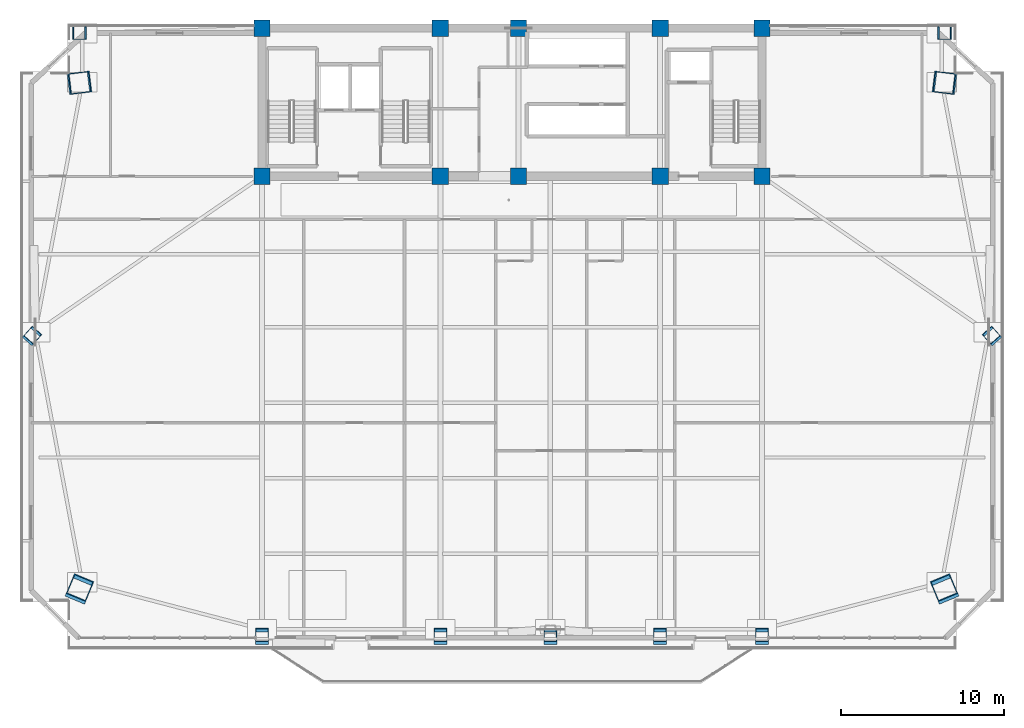
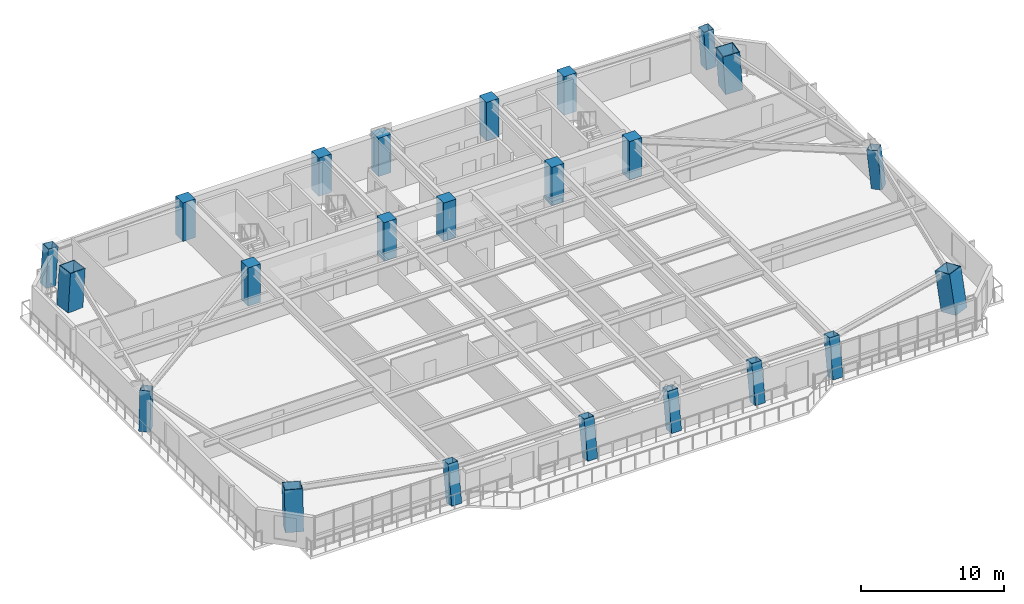
# One storey, part 1 of 16: 23 columns.
"""IFC4 building model written with IfcOpenShell, lengths in metres."""

from ifc_helpers import new_model, si_unit, direction, frame, origin, origin_2d, place, context, subcontext, project, spatial, rectangle, hollow_rectangle, extrude, source, transform, mapped, material, material_profile, profile_set, type_object, element, save


model = new_model("IFC4")

# Units and contexts
model_context = context("Model", 3, precision=1e-05, world=origin(), true_north=direction((0.0, 1.0)))
body_context = subcontext(model_context, "Body", "Model", "MODEL_VIEW")
ifc_project = project(units=[si_unit("LENGTHUNIT", "METRE"), si_unit("AREAUNIT", "SQUARE_METRE"), si_unit("VOLUMEUNIT", "CUBIC_METRE"), si_unit("PLANEANGLEUNIT", "RADIAN"), si_unit("MASSUNIT", "GRAM", prefix="KILO")], contexts=[model_context])

# Site, building, storey
site_placement = place(None, origin())
site = spatial("IfcSite", under=ifc_project, at=site_placement, CompositionType="ELEMENT")
building_placement = place(site_placement, origin())
building = spatial("IfcBuilding", under=site, at=building_placement, Name="Giltprow Tower", CompositionType="ELEMENT")
storey_placement = place(building_placement, frame((0.0, 0.0, 166.699951171875)))
storey = spatial("IfcBuildingStorey", under=building, at=storey_placement, Name="L41", CompositionType="ELEMENT", Elevation=166.699951171875)

# Columns
ifc_material_1 = material(Name="Concrete C50", Category="concrete")
ifc_material_profile_1 = material_profile(ifc_material_1, rectangle(XDim=1.0, YDim=1.0, at=origin_2d()), Name="RC 1000x1000")
ifc_profile_set_1 = profile_set([ifc_material_profile_1], Name="Concrete C50")
column_type_1 = type_object("IfcColumnType", Name="PIL-RC-1000-C50", PredefinedType="PILASTER", material=ifc_profile_set_1)
shared_shape_1 = source(origin(), body_context, "Body", "SweptSolid", [
    extrude(rectangle(XDim=1.0, YDim=1.0, at=origin_2d()), origin(), (0.0, 0.0, 1.0), 3.27001953125),
])
for number, where, z_axis, x_axis, name in (
    (1, (19.85009765625, 37.449951171875, 0.0), (0.0, 0.0, 1.0), (1.0, 0.0, 0.0), "L41 Core Boundary Pilaster 1-1"),
    (2, (19.85009765625, 46.550048828125, 0.0), (0.0, 0.0, 1.0), (1.0, 0.0, 0.0), "L41 Core Boundary Pilaster 1-2"),
    (3, (30.800048828125, 37.449951171875, 0.0), (0.0, 0.0, 1.0), (1.0, 0.0, 0.0), "L41 Core Boundary Pilaster 2-1"),
    (4, (30.800048828125, 46.550048828125, 0.0), (0.0, 0.0, 1.0), (1.0, 0.0, 0.0), "L41 Core Boundary Pilaster 2-2"),
    (5, (35.60009765625, 37.449951171875, 0.0), (0.0, 0.0, 1.0), (1.0, 0.0, 0.0), "L41 Core Boundary Pilaster 3-1"),
    (6, (35.60009765625, 46.550048828125, 0.0), (0.0, 0.0, 1.0), (1.0, 0.0, 0.0), "L41 Core Boundary Pilaster 3-2"),
    (7, (44.300048828125, 37.449951171875, 0.0), (0.0, 0.0, 1.0), (1.0, 0.0, 0.0), "L41 Core Boundary Pilaster 4-1"),
    (8, (44.300048828125, 46.550048828125, 0.0), (0.0, 0.0, 1.0), (1.0, 0.0, 0.0), "L41 Core Boundary Pilaster 4-2"),
    (9, (50.550048828125, 37.449951171875, 0.0), (0.0, 0.0, 1.0), (1.0, 0.0, 0.0), "L41 Core Boundary Pilaster 5-1"),
    (10, (50.550048828125, 46.550048828125, 0.0), (0.0, 0.0, 1.0), (1.0, 0.0, 0.0), "L41 Core Boundary Pilaster 5-2"),
):
    element("IfcColumn", number, at=place(storey_placement, frame(where, z_axis=z_axis, x_axis=x_axis)), inside=storey, type_object=column_type_1, Name=name, PredefinedType="PILASTER", context=body_context, shape_type="MappedRepresentation", body=[
        mapped(shared_shape_1, transform((0.0, 0.0, 0.0), x_axis=(1.0, 0.0, 0.0), y_axis=(0.0, 1.0, 0.0), z_axis=(0.0, 0.0, 1.0), scale=1.0)),
    ])
ifc_material_2 = material(Name="Structural steel Q420GJC", Category="steel")
ifc_material_profile_2 = material_profile(ifc_material_2, hollow_rectangle(XDim=1.300048828125, YDim=1.300048828125, WallThickness=0.06005859375, at=origin_2d()), Name="BOX 1300x1300x60")
ifc_profile_set_2 = profile_set([ifc_material_profile_2], Name="Structural steel Q420GJC")
column_type_2 = type_object("IfcColumnType", Name="COL-BOX-1300x1300x60", PredefinedType="COLUMN", material=ifc_profile_set_2)
shared_shape_2 = source(origin(), body_context, "Body", "SweptSolid", [
    extrude(hollow_rectangle(XDim=1.300048828125, YDim=1.300048828125, WallThickness=0.06005859375, at=origin_2d()), origin(), (0.0, 0.0, 1.0), 3.27685546875),
])
for number, where, z_axis, x_axis, name in (
    (11, (8.596923828125, 43.18701171875, 0.0), (0.063777107469, 0.007897632467, 0.997932917567), (-0.122893119903, 0.992419911671, 0.0), "L41 Mega-Column MC_NW"),
    (12, (61.802978515625, 43.18701171875, 0.0), (-0.063777107469, 0.007897632467, 0.997932917567), (-0.122893119903, -0.992419911671, 0.0), "L41 Mega-Column MC_NE"),
):
    element("IfcColumn", number, at=place(storey_placement, frame(where, z_axis=z_axis, x_axis=x_axis)), inside=storey, type_object=column_type_2, Name=name, PredefinedType="COLUMN", context=body_context, shape_type="MappedRepresentation", body=[
        mapped(shared_shape_2, transform((0.0, 0.0, 0.0), x_axis=(1.0, 0.0, 0.0), y_axis=(0.0, 1.0, 0.0), z_axis=(0.0, 0.0, 1.0), scale=1.0)),
    ])
ifc_material_profile_3 = material_profile(ifc_material_2, hollow_rectangle(XDim=0.800048828125, YDim=0.800048828125, WallThickness=0.035888671875, at=origin_2d()), Name="BOX 800x800x36")
ifc_profile_set_3 = profile_set([ifc_material_profile_3], Name="Structural steel Q420GJC")
column_type_3 = type_object("IfcColumnType", Name="COL-BOX-800x800x36", PredefinedType="COLUMN", material=ifc_profile_set_3)
shared_shape_3 = source(origin(), body_context, "Body", "SweptSolid", [
    extrude(hollow_rectangle(XDim=0.800048828125, YDim=0.800048828125, WallThickness=0.035888671875, at=origin_2d()), origin(), (0.0, 0.0, 1.0), 3.2890625),
])
for number, where, z_axis, x_axis, name in (
    (13, (5.68408203125, 27.59912109375, 0.0), (0.071407666962, 0.080240839902, 0.994214440003), (-0.747027925172, 0.664792658664, 0.0), "L41 Perimeter Column W_MID"),
    (14, (64.716064453125, 27.59912109375, 0.0), (-0.071481516224, 0.08024041437, 0.9942091675), (-0.746684793699, -0.66517803546, 0.0), "L41 Perimeter Column E_MID"),
):
    element("IfcColumn", number, at=place(storey_placement, frame(where, z_axis=z_axis, x_axis=x_axis)), inside=storey, type_object=column_type_3, Name=name, PredefinedType="COLUMN", context=body_context, shape_type="MappedRepresentation", body=[
        mapped(shared_shape_3, transform((0.0, 0.0, 0.0), x_axis=(1.0, 0.0, 0.0), y_axis=(0.0, 1.0, 0.0), z_axis=(0.0, 0.0, 1.0), scale=1.0)),
    ])
shared_shape_4 = source(origin(), body_context, "Body", "SweptSolid", [
    extrude(hollow_rectangle(XDim=0.800048828125, YDim=0.800048828125, WallThickness=0.035888671875, at=origin_2d()), origin(), (0.0, 0.0, 1.0), 3.276611328125),
])
for number, where, z_axis, x_axis, name in (
    (15, (8.596923828125, 46.25, 0.0), (0.063779096534, 0.0, 0.997964040858), (0.0, 1.0, 0.0), "L41 Perimeter Column N_W"),
    (16, (61.802978515625, 46.25, 0.0), (-0.063779096534, 0.0, 0.997964040858), (0.0, -1.0, 0.0), "L41 Perimeter Column N_E"),
):
    element("IfcColumn", number, at=place(storey_placement, frame(where, z_axis=z_axis, x_axis=x_axis)), inside=storey, type_object=column_type_3, Name=name, PredefinedType="COLUMN", context=body_context, shape_type="MappedRepresentation", body=[
        mapped(shared_shape_4, transform((0.0, 0.0, 0.0), x_axis=(1.0, 0.0, 0.0), y_axis=(0.0, 1.0, 0.0), z_axis=(0.0, 0.0, 1.0), scale=1.0)),
    ])
shared_shape_5 = source(origin(), body_context, "Body", "SweptSolid", [
    extrude(hollow_rectangle(XDim=1.300048828125, YDim=1.300048828125, WallThickness=0.06005859375, at=origin_2d()), origin(), (0.0, 0.0, 1.0), 3.31494140625),
])
for number, where, z_axis, x_axis, name in (
    (17, (8.596923828125, 12.010986328125, 0.0), (0.063043666882, 0.151422639146, 0.986456628758), (-0.923183164535, 0.384360305857, 0.0), "L41 Mega-Column MC_SW"),
    (18, (61.802978515625, 12.010986328125, 0.0), (-0.063043666882, 0.151422639146, 0.986456628758), (-0.923183164535, -0.384360305857, 0.0), "L41 Mega-Column MC_SE"),
):
    element("IfcColumn", number, at=place(storey_placement, frame(where, z_axis=z_axis, x_axis=x_axis)), inside=storey, type_object=column_type_2, Name=name, PredefinedType="COLUMN", context=body_context, shape_type="MappedRepresentation", body=[
        mapped(shared_shape_5, transform((0.0, 0.0, 0.0), x_axis=(1.0, 0.0, 0.0), y_axis=(0.0, 1.0, 0.0), z_axis=(0.0, 0.0, 1.0), scale=1.0)),
    ])
shared_shape_6 = source(origin(), body_context, "Body", "SweptSolid", [
    extrude(hollow_rectangle(XDim=0.800048828125, YDim=0.800048828125, WallThickness=0.035888671875, at=origin_2d()), origin(), (0.0, 0.0, 1.0), 3.3125),
])
for number, where, z_axis, x_axis, name in (
    (19, (19.85009765625, 9.097900390625, 0.0), (0.0, 0.159424772502, 0.987210079929), (-1.0, 0.0, 0.0), "L41 Perimeter Column S1"),
    (20, (30.800048828125, 9.097900390625, 0.0), (0.0, 0.159424772502, 0.987210079929), (-1.0, 0.0, 0.0), "L41 Perimeter Column S2"),
    (21, (37.550048828125, 9.097900390625, 0.0), (0.0, 0.159424772502, 0.987210079929), (-1.0, 0.0, 0.0), "L41 Perimeter Column S_MID"),
    (22, (44.300048828125, 9.097900390625, 0.0), (0.0, 0.159424772502, 0.987210079929), (-1.0, 0.0, 0.0), "L41 Perimeter Column S3"),
    (23, (50.550048828125, 9.097900390625, 0.0), (0.0, 0.159424772502, 0.987210079929), (-1.0, 0.0, 0.0), "L41 Perimeter Column S4"),
):
    element("IfcColumn", number, at=place(storey_placement, frame(where, z_axis=z_axis, x_axis=x_axis)), inside=storey, type_object=column_type_3, Name=name, PredefinedType="COLUMN", context=body_context, shape_type="MappedRepresentation", body=[
        mapped(shared_shape_6, transform((0.0, 0.0, 0.0), x_axis=(1.0, 0.0, 0.0), y_axis=(0.0, 1.0, 0.0), z_axis=(0.0, 0.0, 1.0), scale=1.0)),
    ])

save(model, "model.ifc")
